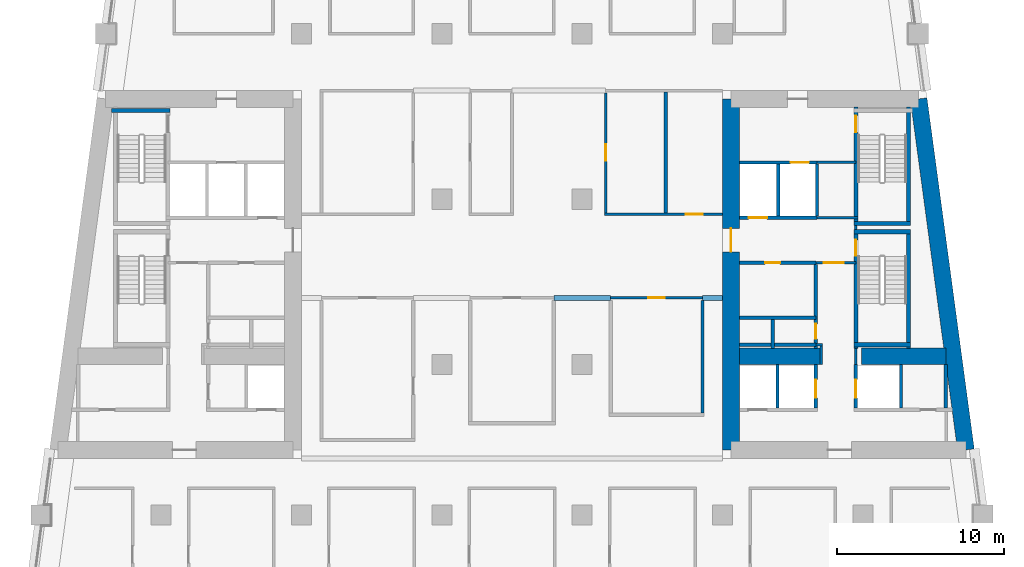
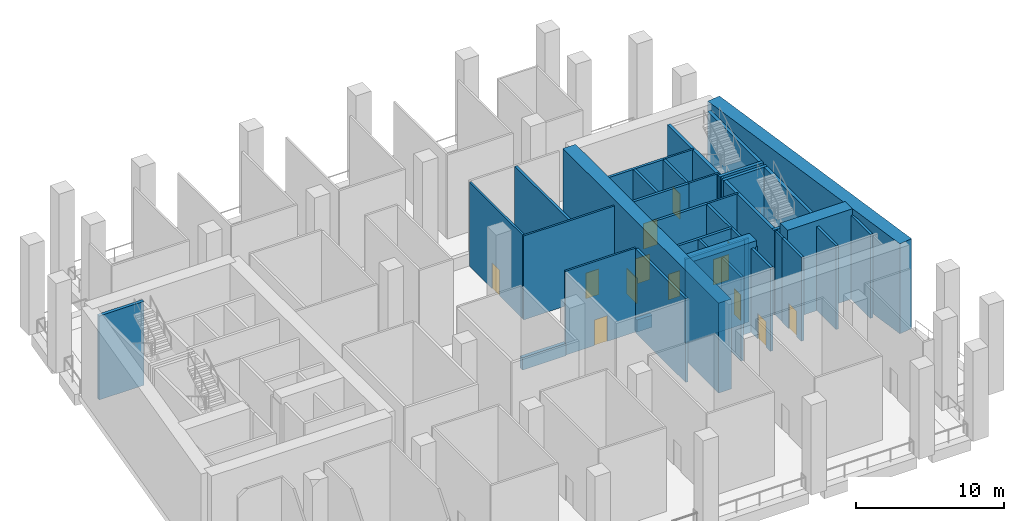
# One storey, part 4 of 10: 40 walls, 13 doors, 13 openings.
"""IFC4 building model written with IfcOpenShell, lengths in metres."""

from ifc_helpers import new_model, si_unit, direction, frame, frame_2d, origin, place, context, subcontext, project, spatial, rectangle, extrude, material, layer, layer_set, type_object, element, fill, save


model = new_model("IFC4")

# Units and contexts
model_context = context("Model", 3, precision=1e-05, world=origin(), true_north=direction((0.0, 1.0)))
body_context = subcontext(model_context, "Body", "Model", "MODEL_VIEW")
ifc_project = project(units=[si_unit("LENGTHUNIT", "METRE"), si_unit("AREAUNIT", "SQUARE_METRE"), si_unit("VOLUMEUNIT", "CUBIC_METRE"), si_unit("PLANEANGLEUNIT", "RADIAN"), si_unit("MASSUNIT", "GRAM", prefix="KILO")], contexts=[model_context])

# Site, building, storey
site_placement = place(None, origin())
site = spatial("IfcSite", under=ifc_project, at=site_placement, CompositionType="ELEMENT")
building_placement = place(site_placement, origin())
building = spatial("IfcBuilding", under=site, at=building_placement, Name="Candeia Pilgrim Tower and Theatre", CompositionType="ELEMENT")
storey_placement = place(building_placement, frame((0.0, 0.0, 135.39990234375)))
storey = spatial("IfcBuildingStorey", under=building, at=storey_placement, Name="L32", CompositionType="ELEMENT", Elevation=135.39990234375)

# Wall
ifc_material_1 = material(Name="Concrete C70/85", Category="concrete")
ifc_layer_1 = layer(ifc_material_1, 1.0)
ifc_layer_set_1 = layer_set([ifc_layer_1], Name="Core wall 1000 C70/85")
wall_type_1 = type_object("IfcWallType", Name="Core wall 1000 C70/85", PredefinedType="SHEAR", material=ifc_layer_set_1)
wall_1_placement = place(storey_placement, frame((137.73193359375, 131.89990234375, 0.0), z_axis=(0.0, 0.0, 1.0), x_axis=(0.133411141623, -0.991060778808, 0.0)))
element("IfcWall", 1, at=wall_1_placement, inside=storey, type_object=wall_type_1, Name="Core wall E2", PredefinedType="SHEAR", context=body_context, shape_type="SweptSolid", body=[
    extrude(rectangle(XDim=21.189453125, YDim=1.0, at=frame_2d((10.5947265625, 0.0))), origin(), (0.0, 0.0, 1.0), 7.400146484375),
])

# Wall, opening, door
wall_2_placement = place(storey_placement, frame((126.5, 110.89990234375, 0.0), z_axis=(0.0, 0.0, 1.0), x_axis=(0.0, 1.0, 0.0)))
wall_2 = element("IfcWall", 2, at=wall_2_placement, inside=storey, type_object=wall_type_1, Name="Core wall E4", PredefinedType="SHEAR", context=body_context, shape_type="SweptSolid", body=[
    extrude(rectangle(XDim=21.0, YDim=1.0, at=frame_2d((10.5, 0.0))), origin(), (0.0, 0.0, 1.0), 7.400146484375),
])
opening_1_placement = place(wall_2_placement, frame((11.85009765625, 0.0, 0.0)))
opening_1 = element("IfcOpeningElement", 3, at=opening_1_placement, cuts=wall_2, Name="Opening L32-D039", PredefinedType="OPENING", context=body_context, shape_type="SweptSolid", body=[
    extrude(rectangle(XDim=1.39990234375, YDim=2.10009765625, at=frame_2d((0.699951171875, 1.050048828125))), frame((0.0, 0.510009765625, 0.0), z_axis=(0.0, -1.0, 0.0), x_axis=(1.0, 0.0, 0.0)), (0.0, 0.0, 1.0), 1.02001953125),
])
ifc_material_2 = material(Name="Steel fire door set", Category="steel")
door_type_1 = type_object("IfcDoorType", Name="D-1400-FD60", OperationType="NOTDEFINED", PredefinedType="DOOR", material=ifc_material_2)
door_1_placement = place(opening_1_placement, origin())
door_1 = element("IfcDoor", 4, at=door_1_placement, inside=storey, type_object=door_type_1, Name="Door L32-D039", OperationType="SINGLE_SWING_LEFT", OverallHeight=2.10009765625, OverallWidth=1.39990234375, PredefinedType="DOOR", context=body_context, shape_type="SweptSolid", body=[
    extrude(rectangle(XDim=1.39990234375, YDim=2.10009765625, at=frame_2d((0.699951171875, 1.050048828125))), frame((0.0, 0.02490234375, 0.0), z_axis=(0.0, -1.0, 0.0), x_axis=(1.0, 0.0, 0.0)), (0.0, 0.0, 1.0), 0.050048828125),
])
fill(opening_1, door_1)

# Walls
wall_3_placement = place(storey_placement, frame((127.0, 116.5, 0.0), z_axis=(0.0, 0.0, 1.0), x_axis=(1.0, 0.0, 0.0)))
element("IfcWall", 5, at=wall_3_placement, inside=storey, type_object=wall_type_1, Name="Core wall E5", PredefinedType="SHEAR", context=body_context, shape_type="SweptSolid", body=[
    extrude(rectangle(XDim=4.89990234375, YDim=1.0, at=frame_2d((2.449951171875, 0.0))), origin(), (0.0, 0.0, 1.0), 7.400146484375),
])
wall_4_placement = place(storey_placement, frame((134.300048828125, 116.5, 0.0), z_axis=(0.0, 0.0, 1.0), x_axis=(1.0, 0.0, 0.0)))
element("IfcWall", 6, at=wall_4_placement, inside=storey, type_object=wall_type_1, Name="Core wall E6", PredefinedType="SHEAR", context=body_context, shape_type="SweptSolid", body=[
    extrude(rectangle(XDim=5.076904296875, YDim=1.0, at=frame_2d((2.53857421875, 0.0))), origin(), (0.0, 0.0, 1.0), 7.400146484375),
])
ifc_material_3 = material(Name="Concrete C30/37", Category="concrete")
ifc_layer_2 = layer(ifc_material_3, 0.300048828125)
ifc_layer_set_2 = layer_set([ifc_layer_2], Name="PL-300 planter kerb")
wall_type_2 = type_object("IfcWallType", Name="PL-300 planter kerb", PredefinedType="PARTITIONING", material=ifc_layer_set_2)
wall_5_placement = place(storey_placement, frame((115.89990234375, 120.0, 0.0), z_axis=(0.0, 0.0, 1.0), x_axis=(1.0, 0.0, 0.0)))
element("IfcWall", 7, at=wall_5_placement, inside=storey, type_object=wall_type_2, Name="Planter kerb L32-033", PredefinedType="PARTITIONING", context=body_context, shape_type="SweptSolid", body=[
    extrude(rectangle(XDim=3.400146484375, YDim=0.300048828125, at=frame_2d((1.7001953125, 0.0))), origin(), (0.0, 0.0, 1.0), 1.0),
])
wall_6_placement = place(storey_placement, frame((124.800048828125, 120.0, 0.0), z_axis=(0.0, 0.0, 1.0), x_axis=(1.0, 0.0, 0.0)))
element("IfcWall", 8, at=wall_6_placement, inside=storey, type_object=wall_type_2, Name="Planter kerb L32-034", PredefinedType="PARTITIONING", context=body_context, shape_type="SweptSolid", body=[
    extrude(rectangle(XDim=1.199951171875, YDim=0.300048828125, at=frame_2d((0.60009765625, 0.0))), origin(), (0.0, 0.0, 1.0), 1.0),
])
ifc_material_4 = material(Name="Gypsum board partition on steel studs", Category="steel")
ifc_layer_3 = layer(ifc_material_4, 0.14990234375)
ifc_layer_set_3 = layer_set([ifc_layer_3], Name="PW-150 lobby wall")
wall_type_3 = type_object("IfcWallType", Name="PW-150 lobby wall", PredefinedType="PARTITIONING", material=ifc_layer_set_3)
wall_7_placement = place(storey_placement, frame((131.572998046875, 117.199951171875, 0.0), z_axis=(0.0, 0.0, 1.0), x_axis=(1.0, 0.0, 0.0)))
element("IfcWall", 9, at=wall_7_placement, inside=storey, type_object=wall_type_3, Name="Lobby wall L32-026", PredefinedType="PARTITIONING", context=body_context, shape_type="SweptSolid", body=[
    extrude(rectangle(XDim=0.402099609375, YDim=0.14990234375, at=frame_2d((0.201171875, 0.0))), origin(), (0.0, 0.0, 1.0), 6.900146484375),
])

# Wall, opening, door
wall_8_placement = place(storey_placement, frame((131.572998046875, 122.10009765625, 0.0), z_axis=(0.0, 0.0, 1.0), x_axis=(1.0, 0.0, 0.0)))
wall_8 = element("IfcWall", 10, at=wall_8_placement, inside=storey, type_object=wall_type_3, Name="Lobby wall L32-041", PredefinedType="PARTITIONING", context=body_context, shape_type="SweptSolid", body=[
    extrude(rectangle(XDim=2.39990234375, YDim=0.14990234375, at=frame_2d((1.199951171875, 0.0))), origin(), (0.0, 0.0, 1.0), 6.900146484375),
])
opening_2_placement = place(wall_8_placement, frame((0.47509765625, 0.0, 0.0)))
opening_2 = element("IfcOpeningElement", 11, at=opening_2_placement, cuts=wall_8, Name="Opening L32-D028", PredefinedType="OPENING", context=body_context, shape_type="SweptSolid", body=[
    extrude(rectangle(XDim=1.199951171875, YDim=2.10009765625, at=frame_2d((0.60009765625, 1.050048828125))), frame((0.0, 0.0849609375, 0.0), z_axis=(0.0, -1.0, 0.0), x_axis=(1.0, 0.0, 0.0)), (0.0, 0.0, 1.0), 0.169921875),
])
door_type_2 = type_object("IfcDoorType", Name="D-1200-FD60", OperationType="NOTDEFINED", PredefinedType="DOOR", material=ifc_material_2)
door_2_placement = place(opening_2_placement, origin())
door_2 = element("IfcDoor", 12, at=door_2_placement, inside=storey, type_object=door_type_2, Name="Door L32-D028", OperationType="SINGLE_SWING_LEFT", OverallHeight=2.10009765625, OverallWidth=1.199951171875, PredefinedType="DOOR", context=body_context, shape_type="SweptSolid", body=[
    extrude(rectangle(XDim=1.199951171875, YDim=2.10009765625, at=frame_2d((0.60009765625, 1.050048828125))), frame((0.0, 0.02490234375, 0.0), z_axis=(0.0, -1.0, 0.0), x_axis=(1.0, 0.0, 0.0)), (0.0, 0.0, 1.0), 0.050048828125),
])
fill(opening_2, door_2)

# Walls
wall_9_placement = place(storey_placement, frame((131.648681640625, 124.800048828125, 0.0), z_axis=(0.0, 0.0, 1.0), x_axis=(1.0, 0.0, 0.0)))
element("IfcWall", 13, at=wall_9_placement, inside=storey, type_object=wall_type_3, Name="Lobby wall L32-048", PredefinedType="PARTITIONING", context=body_context, shape_type="SweptSolid", body=[
    extrude(rectangle(XDim=2.44921875, YDim=0.14990234375, at=frame_2d((1.224609375, 0.0))), origin(), (0.0, 0.0, 1.0), 6.900146484375),
])
wall_10_placement = place(storey_placement, frame((131.648681640625, 128.10009765625, 0.0), z_axis=(0.0, 0.0, 1.0), x_axis=(1.0, 0.0, 0.0)))
element("IfcWall", 14, at=wall_10_placement, inside=storey, type_object=wall_type_3, Name="Lobby wall L32-054", PredefinedType="PARTITIONING", context=body_context, shape_type="SweptSolid", body=[
    extrude(rectangle(XDim=2.32421875, YDim=0.14990234375, at=frame_2d((1.162109375, 0.0))), origin(), (0.0, 0.0, 1.0), 6.900146484375),
])
wall_11_placement = place(storey_placement, frame((131.89990234375, 116.0, 0.0), z_axis=(0.0, 0.0, 1.0), x_axis=(0.0, 1.0, 0.0)))
element("IfcWall", 15, at=wall_11_placement, inside=storey, type_object=wall_type_3, Name="Lobby wall L32-122", PredefinedType="PARTITIONING", context=body_context, shape_type="SweptSolid", body=[
    extrude(rectangle(XDim=1.125, YDim=0.14990234375, at=frame_2d((0.5625, 0.0))), origin(), (0.0, 0.0, 1.0), 6.900146484375),
])
wall_12_placement = place(storey_placement, frame((133.972900390625, 116.0, 0.0), z_axis=(0.0, 0.0, 1.0), x_axis=(0.0, 1.0, 0.0)))
element("IfcWall", 16, at=wall_12_placement, inside=storey, type_object=wall_type_3, Name="Lobby wall L32-125", PredefinedType="PARTITIONING", context=body_context, shape_type="SweptSolid", body=[
    extrude(rectangle(XDim=0.969970703125, YDim=0.14990234375, at=frame_2d((0.48486328125, 0.0))), origin(), (0.0, 0.0, 1.0), 6.900146484375),
])
wall_13_placement = place(storey_placement, frame((133.972900390625, 124.074951171875, 0.0), z_axis=(0.0, 0.0, 1.0), x_axis=(0.0, 1.0, 0.0)))
element("IfcWall", 17, at=wall_13_placement, inside=storey, type_object=wall_type_3, Name="Lobby wall L32-126", PredefinedType="PARTITIONING", context=body_context, shape_type="SweptSolid", body=[
    extrude(rectangle(XDim=0.25, YDim=0.14990234375, at=frame_2d((0.125, 0.0))), origin(), (0.0, 0.0, 1.0), 6.900146484375),
])

# Wall, opening, door
ifc_layer_4 = layer(ifc_material_4, 0.14990234375)
ifc_layer_set_4 = layer_set([ifc_layer_4], Name="PW-150 unit wall")
wall_type_4 = type_object("IfcWallType", Name="PW-150 unit wall", PredefinedType="PARTITIONING", material=ifc_layer_set_4)
wall_14_placement = place(storey_placement, frame((119.300048828125, 120.0, 0.0), z_axis=(0.0, 0.0, 1.0), x_axis=(1.0, 0.0, 0.0)))
wall_14 = element("IfcWall", 18, at=wall_14_placement, inside=storey, type_object=wall_type_4, Name="Unit wall L32-037", PredefinedType="PARTITIONING", context=body_context, shape_type="SweptSolid", body=[
    extrude(rectangle(XDim=5.5, YDim=0.14990234375, at=frame_2d((2.75, 0.0))), origin(), (0.0, 0.0, 1.0), 6.900146484375),
])
opening_3_placement = place(wall_14_placement, frame((2.25, 0.0, 0.0)))
opening_3 = element("IfcOpeningElement", 19, at=opening_3_placement, cuts=wall_14, Name="Opening L32-D007", PredefinedType="OPENING", context=body_context, shape_type="SweptSolid", body=[
    extrude(rectangle(XDim=1.0, YDim=2.10009765625, at=frame_2d((0.5, 1.050048828125))), frame((0.0, 0.0849609375, 0.0), z_axis=(0.0, -1.0, 0.0), x_axis=(1.0, 0.0, 0.0)), (0.0, 0.0, 1.0), 0.169921875),
])
ifc_material_5 = material(Name="Timber door leaf", Category="wood")
door_type_3 = type_object("IfcDoorType", Name="D-1000", OperationType="NOTDEFINED", PredefinedType="DOOR", material=ifc_material_5)
door_3_placement = place(opening_3_placement, origin())
door_3 = element("IfcDoor", 20, at=door_3_placement, inside=storey, type_object=door_type_3, Name="Door L32-D007", OperationType="SINGLE_SWING_LEFT", OverallHeight=2.10009765625, OverallWidth=1.0, PredefinedType="DOOR", context=body_context, shape_type="SweptSolid", body=[
    extrude(rectangle(XDim=1.0, YDim=2.10009765625, at=frame_2d((0.5, 1.050048828125))), frame((0.0, 0.02490234375, 0.0), z_axis=(0.0, -1.0, 0.0), x_axis=(1.0, 0.0, 0.0)), (0.0, 0.0, 1.0), 0.050048828125),
])
fill(opening_3, door_3)

wall_15_placement = place(storey_placement, frame((118.925048828125, 125.0, 0.0), z_axis=(0.0, 0.0, 1.0), x_axis=(1.0, 0.0, 0.0)))
wall_15 = element("IfcWall", 21, at=wall_15_placement, inside=storey, type_object=wall_type_4, Name="Unit wall L32-051", PredefinedType="PARTITIONING", context=body_context, shape_type="SweptSolid", body=[
    extrude(rectangle(XDim=7.074951171875, YDim=0.14990234375, at=frame_2d((3.53759765625, 0.0))), origin(), (0.0, 0.0, 1.0), 6.900146484375),
])
opening_4_placement = place(wall_15_placement, frame((4.875, 0.0, 0.0)))
opening_4 = element("IfcOpeningElement", 22, at=opening_4_placement, cuts=wall_15, Name="Opening L32-D006", PredefinedType="OPENING", context=body_context, shape_type="SweptSolid", body=[
    extrude(rectangle(XDim=1.0, YDim=2.10009765625, at=frame_2d((0.5, 1.050048828125))), frame((0.0, 0.0849609375, 0.0), z_axis=(0.0, -1.0, 0.0), x_axis=(1.0, 0.0, 0.0)), (0.0, 0.0, 1.0), 0.169921875),
])
door_4_placement = place(opening_4_placement, origin())
door_4 = element("IfcDoor", 23, at=door_4_placement, inside=storey, type_object=door_type_3, Name="Door L32-D006", OperationType="SINGLE_SWING_RIGHT", OverallHeight=2.10009765625, OverallWidth=1.0, PredefinedType="DOOR", context=body_context, shape_type="SweptSolid", body=[
    extrude(rectangle(XDim=1.0, YDim=2.10009765625, at=frame_2d((0.5, 1.050048828125))), frame((0.0, 0.02490234375, 0.0), z_axis=(0.0, -1.0, 0.0), x_axis=(1.0, 0.0, 0.0)), (0.0, 0.0, 1.0), 0.050048828125),
])
fill(opening_4, door_4)

wall_16_placement = place(storey_placement, frame((119.0, 125.074951171875, 0.0), z_axis=(0.0, 0.0, 1.0), x_axis=(0.0, 1.0, 0.0)))
wall_16 = element("IfcWall", 24, at=wall_16_placement, inside=storey, type_object=wall_type_4, Name="Unit wall L32-105", PredefinedType="PARTITIONING", context=body_context, shape_type="SweptSolid", body=[
    extrude(rectangle(XDim=7.175048828125, YDim=0.14990234375, at=frame_2d((3.58740234375, 0.0))), origin(), (0.0, 0.0, 1.0), 6.900146484375),
])
opening_5_placement = place(wall_16_placement, frame((3.125, 0.0, 0.0)))
opening_5 = element("IfcOpeningElement", 25, at=opening_5_placement, cuts=wall_16, Name="Opening L32-D005", PredefinedType="OPENING", context=body_context, shape_type="SweptSolid", body=[
    extrude(rectangle(XDim=1.0, YDim=2.10009765625, at=frame_2d((0.5, 1.050048828125))), frame((0.0, 0.0849609375, 0.0), z_axis=(0.0, -1.0, 0.0), x_axis=(1.0, 0.0, 0.0)), (0.0, 0.0, 1.0), 0.169921875),
])
door_5_placement = place(opening_5_placement, origin())
door_5 = element("IfcDoor", 26, at=door_5_placement, inside=storey, type_object=door_type_3, Name="Door L32-D005", OperationType="SINGLE_SWING_LEFT", OverallHeight=2.10009765625, OverallWidth=1.0, PredefinedType="DOOR", context=body_context, shape_type="SweptSolid", body=[
    extrude(rectangle(XDim=1.0, YDim=2.10009765625, at=frame_2d((0.5, 1.050048828125))), frame((0.0, 0.02490234375, 0.0), z_axis=(0.0, -1.0, 0.0), x_axis=(1.0, 0.0, 0.0)), (0.0, 0.0, 1.0), 0.050048828125),
])
fill(opening_5, door_5)

# Walls
ifc_layer_5 = layer(ifc_material_4, 0.199951171875)
ifc_layer_set_5 = layer_set([ifc_layer_5], Name="PW-200 party wall")
wall_type_5 = type_object("IfcWallType", Name="PW-200 party wall", PredefinedType="PARTITIONING", material=ifc_layer_set_5)
wall_17_placement = place(storey_placement, frame((122.60009765625, 125.074951171875, 0.0), z_axis=(0.0, 0.0, 1.0), x_axis=(0.0, 1.0, 0.0)))
element("IfcWall", 27, at=wall_17_placement, inside=storey, type_object=wall_type_5, Name="Party wall L32-109", PredefinedType="PARTITIONING", context=body_context, shape_type="SweptSolid", body=[
    extrude(rectangle(XDim=7.25, YDim=0.199951171875, at=frame_2d((3.625, 0.0))), origin(), (0.0, 0.0, 1.0), 6.900146484375),
])
wall_18_placement = place(storey_placement, frame((124.800048828125, 113.10009765625, 0.0), z_axis=(0.0, 0.0, 1.0), x_axis=(0.0, 1.0, 0.0)))
element("IfcWall", 28, at=wall_18_placement, inside=storey, type_object=wall_type_5, Name="Party wall L32-112", PredefinedType="PARTITIONING", context=body_context, shape_type="SweptSolid", body=[
    extrude(rectangle(XDim=6.75, YDim=0.199951171875, at=frame_2d((3.375, 0.0))), origin(), (0.0, 0.0, 1.0), 6.900146484375),
])
ifc_material_6 = material(Name="Concrete C40/50", Category="concrete")
ifc_layer_6 = layer(ifc_material_6, 0.199951171875)
ifc_layer_set_6 = layer_set([ifc_layer_6], Name="SW-200 shaft wall")
wall_type_6 = type_object("IfcWallType", Name="SW-200 shaft wall", PredefinedType="PARTITIONING", material=ifc_layer_set_6)
for number, where, z_axis, x_axis, name in (
    (29, (127.0, 117.199951171875, 0.0), (0.0, 0.0, 1.0), (1.0, 0.0, 0.0), "Shaft wall L32-024"),
    (30, (127.0, 118.800048828125, 0.0), (0.0, 0.0, 1.0), (1.0, 0.0, 0.0), "Shaft wall L32-030"),
):
    element("IfcWall", number, at=place(storey_placement, frame(where, z_axis=z_axis, x_axis=x_axis)), inside=storey, type_object=wall_type_6, Name=name, PredefinedType="PARTITIONING", context=body_context, shape_type="SweptSolid", body=[
        extrude(rectangle(XDim=4.572998046875, YDim=0.199951171875, at=frame_2d((2.28662109375, 0.0))), origin(), (0.0, 0.0, 1.0), 6.900146484375),
    ])

# Wall, opening, door
wall_19_placement = place(storey_placement, frame((127.0, 122.10009765625, 0.0), z_axis=(0.0, 0.0, 1.0), x_axis=(1.0, 0.0, 0.0)))
wall_19 = element("IfcWall", 31, at=wall_19_placement, inside=storey, type_object=wall_type_6, Name="Shaft wall L32-039", PredefinedType="PARTITIONING", context=body_context, shape_type="SweptSolid", body=[
    extrude(rectangle(XDim=4.572998046875, YDim=0.199951171875, at=frame_2d((2.28662109375, 0.0))), origin(), (0.0, 0.0, 1.0), 6.900146484375),
])
opening_6_placement = place(wall_19_placement, frame((1.5390625, 0.0, 0.0)))
opening_6 = element("IfcOpeningElement", 32, at=opening_6_placement, cuts=wall_19, Name="Opening L32-D029", PredefinedType="OPENING", context=body_context, shape_type="SweptSolid", body=[
    extrude(rectangle(XDim=0.89990234375, YDim=2.10009765625, at=frame_2d((0.449951171875, 1.050048828125))), frame((0.0, 0.10986328125, 0.0), z_axis=(0.0, -1.0, 0.0), x_axis=(1.0, 0.0, 0.0)), (0.0, 0.0, 1.0), 0.219970703125),
])
door_type_4 = type_object("IfcDoorType", Name="D-900-FD60", OperationType="NOTDEFINED", PredefinedType="DOOR", material=ifc_material_2)
door_6_placement = place(opening_6_placement, origin())
door_6 = element("IfcDoor", 33, at=door_6_placement, inside=storey, type_object=door_type_4, Name="Door L32-D029", OperationType="SINGLE_SWING_RIGHT", OverallHeight=2.10009765625, OverallWidth=0.89990234375, PredefinedType="DOOR", context=body_context, shape_type="SweptSolid", body=[
    extrude(rectangle(XDim=0.89990234375, YDim=2.10009765625, at=frame_2d((0.449951171875, 1.050048828125))), frame((0.0, 0.02490234375, 0.0), z_axis=(0.0, -1.0, 0.0), x_axis=(1.0, 0.0, 0.0)), (0.0, 0.0, 1.0), 0.050048828125),
])
fill(opening_6, door_6)

wall_20_placement = place(storey_placement, frame((127.0, 124.800048828125, 0.0), z_axis=(0.0, 0.0, 1.0), x_axis=(1.0, 0.0, 0.0)))
wall_20 = element("IfcWall", 34, at=wall_20_placement, inside=storey, type_object=wall_type_6, Name="Shaft wall L32-047", PredefinedType="PARTITIONING", context=body_context, shape_type="SweptSolid", body=[
    extrude(rectangle(XDim=4.648681640625, YDim=0.199951171875, at=frame_2d((2.32421875, 0.0))), origin(), (0.0, 0.0, 1.0), 6.900146484375),
])
opening_7_placement = place(wall_20_placement, frame((0.56005859375, 0.0, 0.0)))
opening_7 = element("IfcOpeningElement", 35, at=opening_7_placement, cuts=wall_20, Name="Opening L32-LD05", PredefinedType="OPENING", context=body_context, shape_type="SweptSolid", body=[
    extrude(rectangle(XDim=1.10009765625, YDim=2.10009765625, at=frame_2d((0.550048828125, 1.050048828125))), frame((0.0, 0.10986328125, 0.0), z_axis=(0.0, -1.0, 0.0), x_axis=(1.0, 0.0, 0.0)), (0.0, 0.0, 1.0), 0.219970703125),
])
ifc_material_7 = material(Name="Glazed aluminium landing door", Category="aluminium")
door_type_5 = type_object("IfcDoorType", Name="LD-1100-EI120", OperationType="SLIDING_TO_LEFT", PredefinedType="DOOR", material=ifc_material_7)
door_7_placement = place(opening_7_placement, origin())
door_7 = element("IfcDoor", 36, at=door_7_placement, inside=storey, type_object=door_type_5, Name="Landing door 05 L32", OperationType="SLIDING_TO_LEFT", OverallHeight=2.10009765625, OverallWidth=1.10009765625, PredefinedType="DOOR", context=body_context, shape_type="SweptSolid", body=[
    extrude(rectangle(XDim=1.10009765625, YDim=2.10009765625, at=frame_2d((0.550048828125, 1.050048828125))), frame((0.0, 0.02490234375, 0.0), z_axis=(0.0, -1.0, 0.0), x_axis=(1.0, 0.0, 0.0)), (0.0, 0.0, 1.0), 0.050048828125),
])
fill(opening_7, door_7)

wall_21_placement = place(storey_placement, frame((127.0, 128.10009765625, 0.0), z_axis=(0.0, 0.0, 1.0), x_axis=(1.0, 0.0, 0.0)))
wall_21 = element("IfcWall", 37, at=wall_21_placement, inside=storey, type_object=wall_type_6, Name="Shaft wall L32-053", PredefinedType="PARTITIONING", context=body_context, shape_type="SweptSolid", body=[
    extrude(rectangle(XDim=4.648681640625, YDim=0.199951171875, at=frame_2d((2.32421875, 0.0))), origin(), (0.0, 0.0, 1.0), 6.900146484375),
])
opening_8_placement = place(wall_21_placement, frame((3.068115234375, 0.0, 0.0)))
opening_8 = element("IfcOpeningElement", 38, at=opening_8_placement, cuts=wall_21, Name="Opening L32-LD04", PredefinedType="OPENING", context=body_context, shape_type="SweptSolid", body=[
    extrude(rectangle(XDim=1.10009765625, YDim=2.10009765625, at=frame_2d((0.550048828125, 1.050048828125))), frame((0.0, 0.10986328125, 0.0), z_axis=(0.0, -1.0, 0.0), x_axis=(1.0, 0.0, 0.0)), (0.0, 0.0, 1.0), 0.219970703125),
])
door_8_placement = place(opening_8_placement, origin())
door_8 = element("IfcDoor", 39, at=door_8_placement, inside=storey, type_object=door_type_5, Name="Landing door 04 L32", OperationType="SLIDING_TO_LEFT", OverallHeight=2.10009765625, OverallWidth=1.10009765625, PredefinedType="DOOR", context=body_context, shape_type="SweptSolid", body=[
    extrude(rectangle(XDim=1.10009765625, YDim=2.10009765625, at=frame_2d((0.550048828125, 1.050048828125))), frame((0.0, 0.02490234375, 0.0), z_axis=(0.0, -1.0, 0.0), x_axis=(1.0, 0.0, 0.0)), (0.0, 0.0, 1.0), 0.050048828125),
])
fill(opening_8, door_8)

# Walls
wall_22_placement = place(storey_placement, frame((129.0, 116.969970703125, 0.0), z_axis=(0.0, 0.0, 1.0), x_axis=(0.0, 1.0, 0.0)))
element("IfcWall", 40, at=wall_22_placement, inside=storey, type_object=wall_type_6, Name="Shaft wall L32-115", PredefinedType="PARTITIONING", context=body_context, shape_type="SweptSolid", body=[
    extrude(rectangle(XDim=1.72998046875, YDim=0.199951171875, at=frame_2d((0.864990234375, 0.0))), origin(), (0.0, 0.0, 1.0), 6.900146484375),
])
wall_23_placement = place(storey_placement, frame((129.28662109375, 113.39990234375, 0.0), z_axis=(0.0, 0.0, 1.0), x_axis=(0.0, 1.0, 0.0)))
element("IfcWall", 41, at=wall_23_placement, inside=storey, type_object=wall_type_6, Name="Shaft wall L32-116", PredefinedType="PARTITIONING", context=body_context, shape_type="SweptSolid", body=[
    extrude(rectangle(XDim=2.60009765625, YDim=0.199951171875, at=frame_2d((1.300048828125, 0.0))), origin(), (0.0, 0.0, 1.0), 6.900146484375),
])
wall_24_placement = place(storey_placement, frame((129.32421875, 124.89990234375, 0.0), z_axis=(0.0, 0.0, 1.0), x_axis=(0.0, 1.0, 0.0)))
element("IfcWall", 42, at=wall_24_placement, inside=storey, type_object=wall_type_6, Name="Shaft wall L32-117", PredefinedType="PARTITIONING", context=body_context, shape_type="SweptSolid", body=[
    extrude(rectangle(XDim=3.10009765625, YDim=0.199951171875, at=frame_2d((1.550048828125, 0.0))), origin(), (0.0, 0.0, 1.0), 6.900146484375),
])

# Wall, opening, door
wall_25_placement = place(storey_placement, frame((131.572998046875, 113.39990234375, 0.0), z_axis=(0.0, 0.0, 1.0), x_axis=(0.0, 1.0, 0.0)))
wall_25 = element("IfcWall", 43, at=wall_25_placement, inside=storey, type_object=wall_type_6, Name="Shaft wall L32-119", PredefinedType="PARTITIONING", context=body_context, shape_type="SweptSolid", body=[
    extrude(rectangle(XDim=2.60009765625, YDim=0.199951171875, at=frame_2d((1.300048828125, 0.0))), origin(), (0.0, 0.0, 1.0), 6.900146484375),
])
opening_9_placement = place(wall_25_placement, frame((0.610107421875, 0.0, 0.0)))
opening_9 = element("IfcOpeningElement", 44, at=opening_9_placement, cuts=wall_25, Name="Opening L32-LD07", PredefinedType="OPENING", context=body_context, shape_type="SweptSolid", body=[
    extrude(rectangle(XDim=1.10009765625, YDim=2.10009765625, at=frame_2d((0.550048828125, 1.050048828125))), frame((0.0, 0.10986328125, 0.0), z_axis=(0.0, -1.0, 0.0), x_axis=(1.0, 0.0, 0.0)), (0.0, 0.0, 1.0), 0.219970703125),
])
door_9_placement = place(opening_9_placement, origin())
door_9 = element("IfcDoor", 45, at=door_9_placement, inside=storey, type_object=door_type_5, Name="Landing door 07 L32", OperationType="SLIDING_TO_LEFT", OverallHeight=2.10009765625, OverallWidth=1.10009765625, PredefinedType="DOOR", context=body_context, shape_type="SweptSolid", body=[
    extrude(rectangle(XDim=1.10009765625, YDim=2.10009765625, at=frame_2d((0.550048828125, 1.050048828125))), frame((0.0, 0.02490234375, 0.0), z_axis=(0.0, -1.0, 0.0), x_axis=(1.0, 0.0, 0.0)), (0.0, 0.0, 1.0), 0.050048828125),
])
fill(opening_9, door_9)

wall_26_placement = place(storey_placement, frame((131.572998046875, 116.969970703125, 0.0), z_axis=(0.0, 0.0, 1.0), x_axis=(0.0, 1.0, 0.0)))
wall_26 = element("IfcWall", 46, at=wall_26_placement, inside=storey, type_object=wall_type_6, Name="Shaft wall L32-120", PredefinedType="PARTITIONING", context=body_context, shape_type="SweptSolid", body=[
    extrude(rectangle(XDim=5.030029296875, YDim=0.199951171875, at=frame_2d((2.51513671875, 0.0))), origin(), (0.0, 0.0, 1.0), 6.900146484375),
])
opening_10_placement = place(wall_26_placement, frame((0.580078125, 0.0, 0.0)))
opening_10 = element("IfcOpeningElement", 47, at=opening_10_placement, cuts=wall_26, Name="Opening L32-D032", PredefinedType="OPENING", context=body_context, shape_type="SweptSolid", body=[
    extrude(rectangle(XDim=0.89990234375, YDim=2.10009765625, at=frame_2d((0.449951171875, 1.050048828125))), frame((0.0, 0.10986328125, 0.0), z_axis=(0.0, -1.0, 0.0), x_axis=(1.0, 0.0, 0.0)), (0.0, 0.0, 1.0), 0.219970703125),
])
door_10_placement = place(opening_10_placement, origin())
door_10 = element("IfcDoor", 48, at=door_10_placement, inside=storey, type_object=door_type_4, Name="Door L32-D032", OperationType="SINGLE_SWING_LEFT", OverallHeight=2.10009765625, OverallWidth=0.89990234375, PredefinedType="DOOR", context=body_context, shape_type="SweptSolid", body=[
    extrude(rectangle(XDim=0.89990234375, YDim=2.10009765625, at=frame_2d((0.449951171875, 1.050048828125))), frame((0.0, 0.02490234375, 0.0), z_axis=(0.0, -1.0, 0.0), x_axis=(1.0, 0.0, 0.0)), (0.0, 0.0, 1.0), 0.050048828125),
])
fill(opening_10, door_10)

# Wall
wall_27_placement = place(storey_placement, frame((131.648681640625, 124.89990234375, 0.0), z_axis=(0.0, 0.0, 1.0), x_axis=(0.0, 1.0, 0.0)))
element("IfcWall", 49, at=wall_27_placement, inside=storey, type_object=wall_type_6, Name="Shaft wall L32-121", PredefinedType="PARTITIONING", context=body_context, shape_type="SweptSolid", body=[
    extrude(rectangle(XDim=3.10009765625, YDim=0.199951171875, at=frame_2d((1.550048828125, 0.0))), origin(), (0.0, 0.0, 1.0), 6.900146484375),
])

# Wall, opening, door
wall_28_placement = place(storey_placement, frame((133.972900390625, 113.39990234375, 0.0), z_axis=(0.0, 0.0, 1.0), x_axis=(0.0, 1.0, 0.0)))
wall_28 = element("IfcWall", 50, at=wall_28_placement, inside=storey, type_object=wall_type_6, Name="Shaft wall L32-124", PredefinedType="PARTITIONING", context=body_context, shape_type="SweptSolid", body=[
    extrude(rectangle(XDim=2.60009765625, YDim=0.199951171875, at=frame_2d((1.300048828125, 0.0))), origin(), (0.0, 0.0, 1.0), 6.900146484375),
])
opening_11_placement = place(wall_28_placement, frame((0.610107421875, 0.0, 0.0)))
opening_11 = element("IfcOpeningElement", 51, at=opening_11_placement, cuts=wall_28, Name="Opening L32-LD06", PredefinedType="OPENING", context=body_context, shape_type="SweptSolid", body=[
    extrude(rectangle(XDim=1.10009765625, YDim=2.10009765625, at=frame_2d((0.550048828125, 1.050048828125))), frame((0.0, 0.10986328125, 0.0), z_axis=(0.0, -1.0, 0.0), x_axis=(1.0, 0.0, 0.0)), (0.0, 0.0, 1.0), 0.219970703125),
])
door_11_placement = place(opening_11_placement, origin())
door_11 = element("IfcDoor", 52, at=door_11_placement, inside=storey, type_object=door_type_5, Name="Landing door 06 L32", OperationType="SLIDING_TO_LEFT", OverallHeight=2.10009765625, OverallWidth=1.10009765625, PredefinedType="DOOR", context=body_context, shape_type="SweptSolid", body=[
    extrude(rectangle(XDim=1.10009765625, YDim=2.10009765625, at=frame_2d((0.550048828125, 1.050048828125))), frame((0.0, 0.02490234375, 0.0), z_axis=(0.0, -1.0, 0.0), x_axis=(1.0, 0.0, 0.0)), (0.0, 0.0, 1.0), 0.050048828125),
])
fill(opening_11, door_11)

# Walls
for number, where, z_axis, x_axis, name in (
    (53, (136.672119140625, 113.39990234375, 0.0), (0.0, 0.0, 1.0), (0.0, 1.0, 0.0), "Shaft wall L32-130"),
    (54, (139.348876953125, 113.39990234375, 0.0), (0.0, 0.0, 1.0), (0.0, 1.0, 0.0), "Shaft wall L32-133"),
):
    element("IfcWall", number, at=place(storey_placement, frame(where, z_axis=z_axis, x_axis=x_axis)), inside=storey, type_object=wall_type_6, Name=name, PredefinedType="PARTITIONING", context=body_context, shape_type="SweptSolid", body=[
        extrude(rectangle(XDim=2.60009765625, YDim=0.199951171875, at=frame_2d((1.300048828125, 0.0))), origin(), (0.0, 0.0, 1.0), 6.900146484375),
    ])
ifc_layer_7 = layer(ifc_material_6, 0.25)
ifc_layer_set_7 = layer_set([ifc_layer_7], Name="SW-250 stair wall")
wall_type_7 = type_object("IfcWallType", Name="SW-250 stair wall", PredefinedType="PARTITIONING", material=ifc_layer_set_7)
for number, where, z_axis, x_axis, name in (
    (55, (133.847900390625, 117.199951171875, 0.0), (0.0, 0.0, 1.0), (1.0, 0.0, 0.0), "Stair wall L32-028"),
    (56, (133.847900390625, 123.949951171875, 0.0), (0.0, 0.0, 1.0), (1.0, 0.0, 0.0), "Stair wall L32-043"),
    (57, (133.847900390625, 124.449951171875, 0.0), (0.0, 0.0, 1.0), (1.0, 0.0, 0.0), "Stair wall L32-045"),
):
    element("IfcWall", number, at=place(storey_placement, frame(where, z_axis=z_axis, x_axis=x_axis)), inside=storey, type_object=wall_type_7, Name=name, PredefinedType="PARTITIONING", context=body_context, shape_type="SweptSolid", body=[
        extrude(rectangle(XDim=3.400146484375, YDim=0.25, at=frame_2d((1.7001953125, 0.0))), origin(), (0.0, 0.0, 1.0), 6.900146484375),
    ])
wall_29_placement = place(storey_placement, frame((89.4482421875, 131.199951171875, 0.0), z_axis=(0.0, 0.0, 1.0), x_axis=(1.0, 0.0, 0.0)))
element("IfcWall", 58, at=wall_29_placement, inside=storey, type_object=wall_type_7, Name="Stair wall L32-055", PredefinedType="PARTITIONING", context=body_context, shape_type="SweptSolid", body=[
    extrude(rectangle(XDim=3.503662109375, YDim=0.25, at=frame_2d((1.751953125, 0.0))), origin(), (0.0, 0.0, 1.0), 6.900146484375),
])

# Wall, opening, door
wall_30_placement = place(storey_placement, frame((133.972900390625, 116.969970703125, 0.0), z_axis=(0.0, 0.0, 1.0), x_axis=(0.0, 1.0, 0.0)))
wall_30 = element("IfcWall", 59, at=wall_30_placement, inside=storey, type_object=wall_type_7, Name="Stair wall L32-127", PredefinedType="PARTITIONING", context=body_context, shape_type="SweptSolid", body=[
    extrude(rectangle(XDim=6.85498046875, YDim=0.25, at=frame_2d((3.427490234375, 0.0))), origin(), (0.0, 0.0, 1.0), 6.900146484375),
])
opening_12_placement = place(wall_30_placement, frame((5.554931640625, 0.0, 0.0)))
opening_12 = element("IfcOpeningElement", 60, at=opening_12_placement, cuts=wall_30, Name="Opening L32-D030", PredefinedType="OPENING", context=body_context, shape_type="SweptSolid", body=[
    extrude(rectangle(XDim=0.949951171875, YDim=2.10009765625, at=frame_2d((0.47509765625, 1.050048828125))), frame((0.0, 0.135009765625, 0.0), z_axis=(0.0, -1.0, 0.0), x_axis=(1.0, 0.0, 0.0)), (0.0, 0.0, 1.0), 0.27001953125),
])
door_type_6 = type_object("IfcDoorType", Name="D-950-FD60", OperationType="NOTDEFINED", PredefinedType="DOOR", material=ifc_material_2)
door_12_placement = place(opening_12_placement, origin())
door_12 = element("IfcDoor", 61, at=door_12_placement, inside=storey, type_object=door_type_6, Name="Door L32-D030", OperationType="SINGLE_SWING_LEFT", OverallHeight=2.10009765625, OverallWidth=0.949951171875, PredefinedType="DOOR", context=body_context, shape_type="SweptSolid", body=[
    extrude(rectangle(XDim=0.949951171875, YDim=2.10009765625, at=frame_2d((0.47509765625, 1.050048828125))), frame((0.0, 0.02490234375, 0.0), z_axis=(0.0, -1.0, 0.0), x_axis=(1.0, 0.0, 0.0)), (0.0, 0.0, 1.0), 0.050048828125),
])
fill(opening_12, door_12)

wall_31_placement = place(storey_placement, frame((133.972900390625, 124.574951171875, 0.0), z_axis=(0.0, 0.0, 1.0), x_axis=(0.0, 1.0, 0.0)))
wall_31 = element("IfcWall", 62, at=wall_31_placement, inside=storey, type_object=wall_type_7, Name="Stair wall L32-128", PredefinedType="PARTITIONING", context=body_context, shape_type="SweptSolid", body=[
    extrude(rectangle(XDim=6.85498046875, YDim=0.25, at=frame_2d((3.427490234375, 0.0))), origin(), (0.0, 0.0, 1.0), 6.900146484375),
])
opening_13_placement = place(wall_31_placement, frame((5.324951171875, 0.0, 0.0)))
opening_13 = element("IfcOpeningElement", 63, at=opening_13_placement, cuts=wall_31, Name="Opening L32-D031", PredefinedType="OPENING", context=body_context, shape_type="SweptSolid", body=[
    extrude(rectangle(XDim=1.0, YDim=2.10009765625, at=frame_2d((0.5, 1.050048828125))), frame((0.0, 0.135009765625, 0.0), z_axis=(0.0, -1.0, 0.0), x_axis=(1.0, 0.0, 0.0)), (0.0, 0.0, 1.0), 0.27001953125),
])
door_type_7 = type_object("IfcDoorType", Name="D-1000-FD60", OperationType="NOTDEFINED", PredefinedType="DOOR", material=ifc_material_2)
door_13_placement = place(opening_13_placement, origin())
door_13 = element("IfcDoor", 64, at=door_13_placement, inside=storey, type_object=door_type_7, Name="Door L32-D031", OperationType="SINGLE_SWING_RIGHT", OverallHeight=2.10009765625, OverallWidth=1.0, PredefinedType="DOOR", context=body_context, shape_type="SweptSolid", body=[
    extrude(rectangle(XDim=1.0, YDim=2.10009765625, at=frame_2d((0.5, 1.050048828125))), frame((0.0, 0.02490234375, 0.0), z_axis=(0.0, -1.0, 0.0), x_axis=(1.0, 0.0, 0.0)), (0.0, 0.0, 1.0), 0.050048828125),
])
fill(opening_13, door_13)

# Walls
for number, where, z_axis, x_axis, name in (
    (65, (137.123046875, 116.969970703125, 0.0), (0.0, 0.0, 1.0), (0.0, 1.0, 0.0), "Stair wall L32-131"),
    (66, (137.123046875, 124.574951171875, 0.0), (0.0, 0.0, 1.0), (0.0, 1.0, 0.0), "Stair wall L32-132"),
):
    element("IfcWall", number, at=place(storey_placement, frame(where, z_axis=z_axis, x_axis=x_axis)), inside=storey, type_object=wall_type_7, Name=name, PredefinedType="PARTITIONING", context=body_context, shape_type="SweptSolid", body=[
        extrude(rectangle(XDim=6.85498046875, YDim=0.25, at=frame_2d((3.427490234375, 0.0))), origin(), (0.0, 0.0, 1.0), 6.900146484375),
    ])

save(model, "model.ifc")
